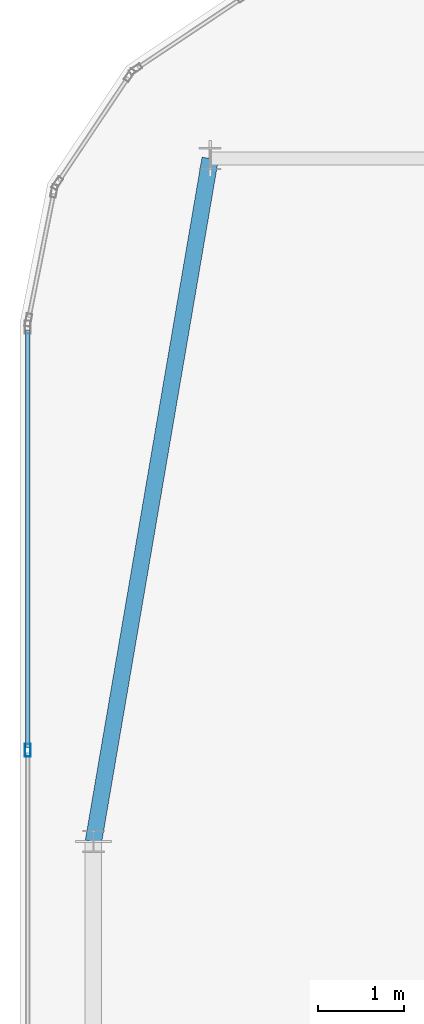
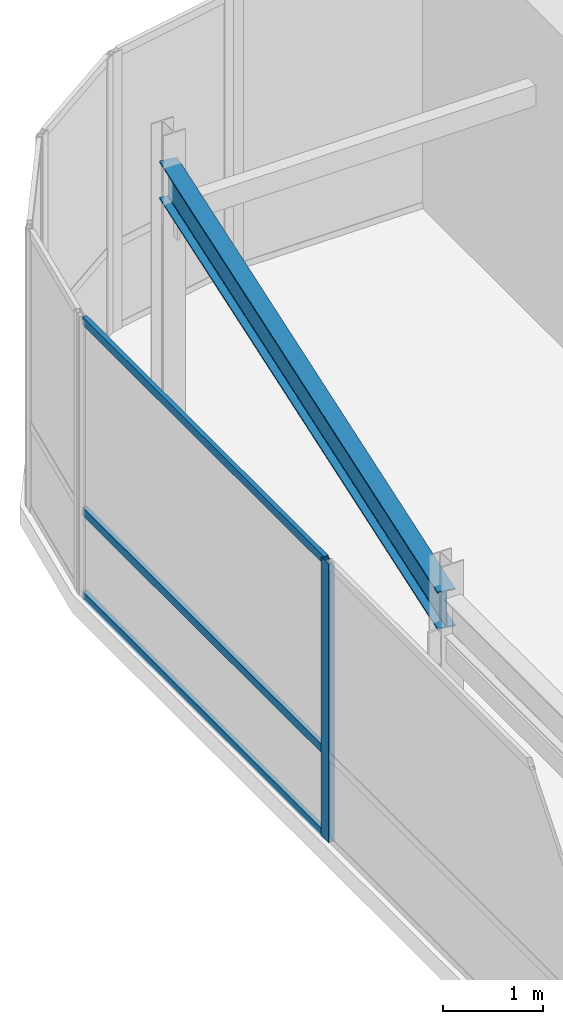
# One storey, part 19 of 35: 4 members, 1 beam, 1 element without a shape of its own.
"""IFC4 building model written with IfcOpenShell, lengths in metres."""

from ifc_helpers import new_model, si_unit, direction, frame, origin, origin_2d, place, context, subcontext, project, spatial, hollow_rectangle, i_section, extrude, source, transform, mapped, material, layer, layer_set, material_profile, profile_set, type_object, type_shapes, element, aggregate, save


model = new_model("IFC4")

# Units and contexts
model_context = context("Model", 3, precision=1e-05, world=origin(), true_north=direction((0.0, 1.0)))
body_context = subcontext(model_context, "Body", "Model", "MODEL_VIEW")
ifc_project = project(units=[si_unit("LENGTHUNIT", "METRE"), si_unit("AREAUNIT", "SQUARE_METRE"), si_unit("VOLUMEUNIT", "CUBIC_METRE"), si_unit("PLANEANGLEUNIT", "RADIAN"), si_unit("MASSUNIT", "GRAM", prefix="KILO")], contexts=[model_context])

# Site, building, storey
site_placement = place(None, origin())
site = spatial("IfcSite", under=ifc_project, at=site_placement, CompositionType="ELEMENT")
building_placement = place(site_placement, origin())
building = spatial("IfcBuilding", under=site, at=building_placement, Name="Tolvann Quenvar Hotel", CompositionType="ELEMENT")
storey_placement = place(building_placement, frame((0.0, 0.0, 309.949951171875)))
storey = spatial("IfcBuildingStorey", under=building, at=storey_placement, Name="L82", CompositionType="ELEMENT", Elevation=309.949951171875)

# Beam
ifc_material_1 = material(Name="Steel Grade 350", Category="steel")
ifc_material_profile_1 = material_profile(ifc_material_1, i_section(OverallWidth=0.19091796875, OverallDepth=0.4599609375, WebThickness=0.010009765625, FlangeThickness=0.01611328125, FilletRadius=0.011474609375, at=origin_2d()), Name="460UB82")
ifc_profile_set_1 = profile_set([ifc_material_profile_1], Name="Steel Grade 350")
beam_type = type_object("IfcBeamType", Name="BM_SPAND_460UB82", PredefinedType="SPANDREL", material=ifc_profile_set_1)
shared_shape_1 = source(origin(), body_context, "Body", "SweptSolid", [
    extrude(i_section(OverallWidth=0.19091796875, OverallDepth=0.4599609375, WebThickness=0.010009765625, FlangeThickness=0.01611328125, FilletRadius=0.011474609375, at=origin_2d()), origin(), (0.0, 0.0, 1.0), 8.014404296875),
])
type_shapes(beam_type, [shared_shape_1])
beam_placement = place(storey_placement, frame((4.449951171875, 34.0, 3.170166015625), z_axis=(0.168458176532, 0.985708802213, 0.0), x_axis=(-0.985708802213, 0.168458176532, 0.0)))
element("IfcBeam", 1, at=beam_placement, inside=storey, type_object=beam_type, Name="BM-L82-FLK-W2", PredefinedType="SPANDREL", context=body_context, shape_type="MappedRepresentation", body=[
    mapped(shared_shape_1, transform((0.0, 0.0, 0.0), x_axis=(1.0, 0.0, 0.0), y_axis=(0.0, 1.0, 0.0), z_axis=(0.0, 0.0, 1.0), scale=1.0)),
])

# Curtain wall, members
ifc_material_2 = material(Name="Thermally broken anodised architectural aluminium 6063-T6 and laminated low-E glass", Category="aluminium")
ifc_layer = layer(ifc_material_2, 0.179931640625)
ifc_layer_set = layer_set([ifc_layer], Name="Thermally broken anodised architectural aluminium 6063-T6 and laminated low-E glass")
curtain_wall_type = type_object("IfcCurtainWallType", Name="CW_SYS_LANT_06", PredefinedType="USERDEFINED", material=ifc_layer_set)
curtain_wall_placement = place(storey_placement, origin())
curtain_wall = element("IfcCurtainWall", 2, at=curtain_wall_placement, inside=storey, type_object=curtain_wall_type, Name="Curtain Wall CW-LANT-06 (CWR-L82-E19)", ObjectType="UNITISED CURTAIN WALL", PredefinedType="USERDEFINED")
ifc_material_3 = material(Name="Anodised architectural aluminium 6063-T6 framing", Category="aluminium")
ifc_material_profile_2 = material_profile(ifc_material_3, hollow_rectangle(XDim=0.050048828125, YDim=0.10009765625, WallThickness=0.0029296875, at=origin_2d()), Name="100x50x3RHS")
ifc_profile_set_2 = profile_set([ifc_material_profile_2], Name="Anodised architectural aluminium 6063-T6 framing")
member_type_1 = type_object("IfcMemberType", Name="CW_TRAN_100x50", PredefinedType="USERDEFINED", material=ifc_profile_set_2)
shared_shape_2 = source(origin(), body_context, "Body", "SweptSolid", [
    extrude(hollow_rectangle(XDim=0.050048828125, YDim=0.10009765625, WallThickness=0.0029296875, at=origin_2d()), origin(), (0.0, 0.0, 1.0), 4.830078125),
])
type_shapes(member_type_1, [shared_shape_2])
member_1_placement = place(storey_placement, frame((3.68994140625, 39.917724609375, 0.025146484375), z_axis=(0.0, -1.0, 0.0), x_axis=(1.0, 0.0, 0.0)))
member_1 = element("IfcMember", 3, at=member_1_placement, type_object=member_type_1, Name="CW-LANT-06 transom 1.1", ObjectType="TRANSOM", PredefinedType="USERDEFINED", context=body_context, shape_type="MappedRepresentation", body=[
    mapped(shared_shape_2, transform((0.0, 0.0, 0.0), x_axis=(1.0, 0.0, 0.0), y_axis=(0.0, 1.0, 0.0), z_axis=(0.0, 0.0, 1.0), scale=1.0)),
])
member_2_placement = place(storey_placement, frame((3.68994140625, 39.917724609375, 1.050048828125), z_axis=(0.0, -1.0, 0.0), x_axis=(1.0, 0.0, 0.0)))
member_2 = element("IfcMember", 4, at=member_2_placement, type_object=member_type_1, Name="CW-LANT-06 transom 1.2", ObjectType="TRANSOM", PredefinedType="USERDEFINED", context=body_context, shape_type="MappedRepresentation", body=[
    mapped(shared_shape_2, transform((0.0, 0.0, 0.0), x_axis=(1.0, 0.0, 0.0), y_axis=(0.0, 1.0, 0.0), z_axis=(0.0, 0.0, 1.0), scale=1.0)),
])
member_3_placement = place(storey_placement, frame((3.68994140625, 39.917724609375, 3.375), z_axis=(0.0, -1.0, 0.0), x_axis=(1.0, 0.0, 0.0)))
member_3 = element("IfcMember", 5, at=member_3_placement, type_object=member_type_1, Name="CW-LANT-06 transom 1.3", ObjectType="TRANSOM", PredefinedType="USERDEFINED", context=body_context, shape_type="MappedRepresentation", body=[
    mapped(shared_shape_2, transform((0.0, 0.0, 0.0), x_axis=(1.0, 0.0, 0.0), y_axis=(0.0, 1.0, 0.0), z_axis=(0.0, 0.0, 1.0), scale=1.0)),
])
ifc_material_profile_3 = material_profile(ifc_material_3, hollow_rectangle(XDim=0.06494140625, YDim=0.14990234375, WallThickness=0.00390625, at=origin_2d()), Name="150x65x4RHS")
ifc_profile_set_3 = profile_set([ifc_material_profile_3], Name="Anodised architectural aluminium 6063-T6 framing")
member_type_2 = type_object("IfcMemberType", Name="CW_MULL_150x65", PredefinedType="MULLION", material=ifc_profile_set_3)
shared_shape_3 = source(origin(), body_context, "Body", "SweptSolid", [
    extrude(hollow_rectangle(XDim=0.06494140625, YDim=0.14990234375, WallThickness=0.00390625, at=origin_2d()), origin(), (0.0, 0.0, 1.0), 3.400146484375),
])
type_shapes(member_type_2, [shared_shape_3])
member_4_placement = place(storey_placement, frame((3.68994140625, 35.05517578125, 0.0), z_axis=(0.0, 0.0, 1.0), x_axis=(1.0, 0.0, 0.0)))
member_4 = element("IfcMember", 6, at=member_4_placement, type_object=member_type_2, Name="CW-LANT-06 mullion 2", PredefinedType="MULLION", context=body_context, shape_type="MappedRepresentation", body=[
    mapped(shared_shape_3, transform((0.0, 0.0, 0.0), x_axis=(1.0, 0.0, 0.0), y_axis=(0.0, 1.0, 0.0), z_axis=(0.0, 0.0, 1.0), scale=1.0)),
])
aggregate(curtain_wall, [member_4, member_1, member_2, member_3])

save(model, "model.ifc")
